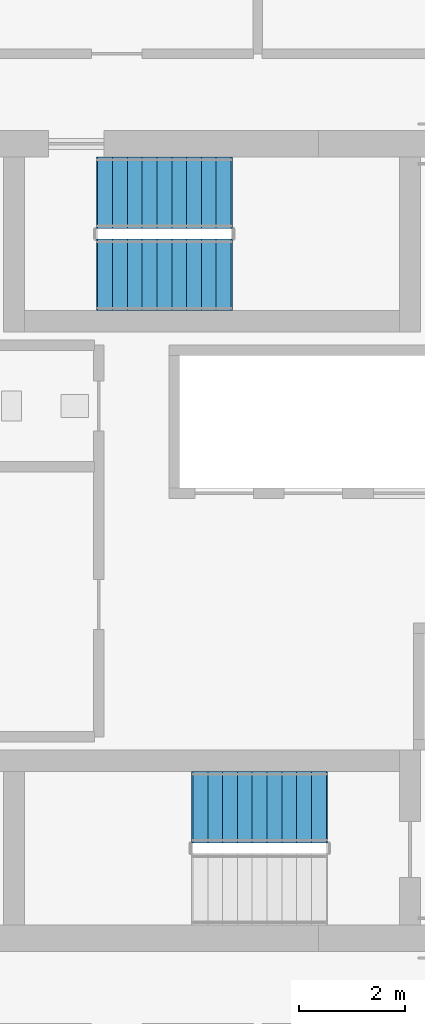
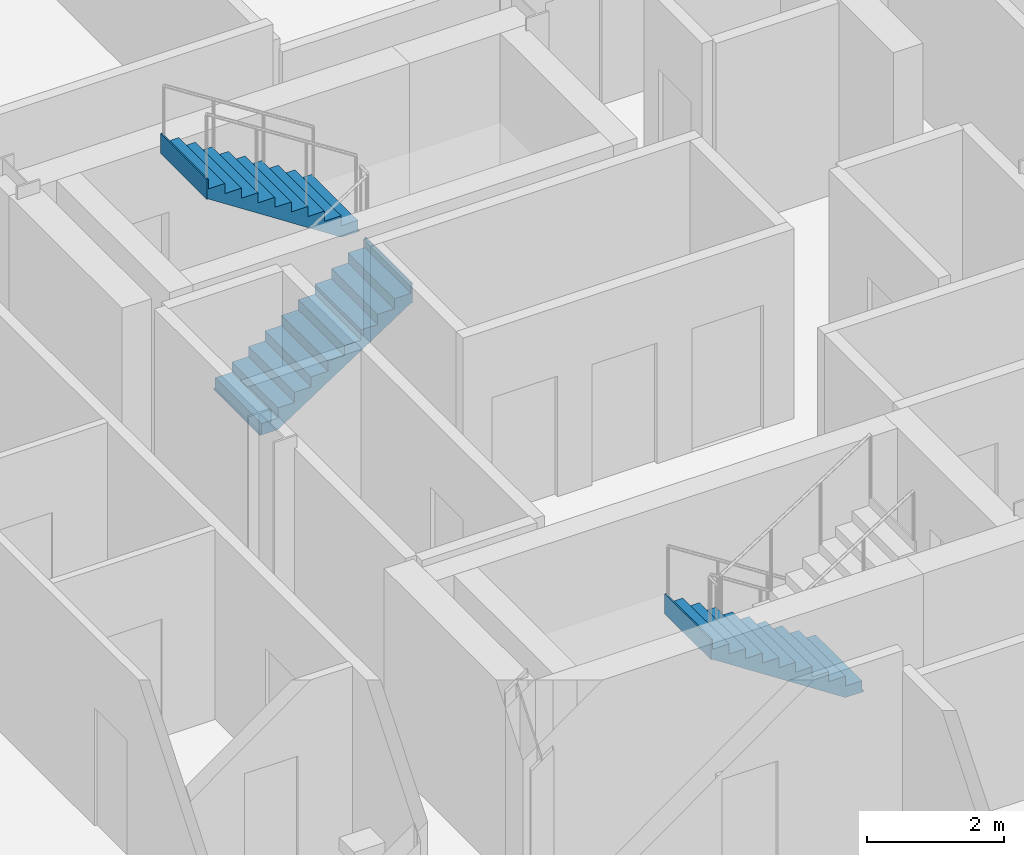
# One storey, part 22 of 24: 3 stair flights, 2 elements without a shape of their own.
"""IFC4 building model written with IfcOpenShell, lengths in metres."""

from ifc_helpers import new_model, si_unit, direction, frame, origin, place, context, subcontext, project, spatial, polyline, outline, extrude, material, type_object, element, aggregate, save


model = new_model("IFC4")

# Units and contexts
model_context = context("Model", 3, precision=1e-05, world=origin(), true_north=direction((0.0, 1.0)))
body_context = subcontext(model_context, "Body", "Model", "MODEL_VIEW")
ifc_project = project(units=[si_unit("LENGTHUNIT", "METRE"), si_unit("AREAUNIT", "SQUARE_METRE"), si_unit("VOLUMEUNIT", "CUBIC_METRE"), si_unit("PLANEANGLEUNIT", "RADIAN"), si_unit("MASSUNIT", "GRAM", prefix="KILO")], contexts=[model_context])

# Site, building, storey
site_placement = place(None, origin())
site = spatial("IfcSite", under=ifc_project, at=site_placement, CompositionType="ELEMENT")
building_placement = place(site_placement, origin())
building = spatial("IfcBuilding", under=site, at=building_placement, Name="Barlavira Tower and Art Museum", CompositionType="ELEMENT")
storey_placement = place(building_placement, frame((0.0, 0.0, 294.300048828125)))
storey = spatial("IfcBuildingStorey", under=building, at=storey_placement, Name="L77", CompositionType="ELEMENT", Elevation=294.300048828125)

# Stair, stair flights
ifc_material_1 = material(Name="Concrete C45", Category="concrete")
stair_type_1 = type_object("IfcStairType", Name="Tower North Dog-Leg Exit Stair Assembly Concrete C45", PredefinedType="TWO_QUARTER_TURN_STAIR", material=ifc_material_1)
stair_1_placement = place(storey_placement, origin())
stair_1 = element("IfcStair", 1, at=stair_1_placement, inside=storey, type_object=stair_type_1, Name="L77 Tower North Exit Stair ST-T2", PredefinedType="TWO_QUARTER_TURN_STAIR")
ifc_material_2 = material(Name="Precast concrete C45", Category="concrete")
stair_flight_type_1 = type_object("IfcStairFlightType", Name="Tower North Dog-Leg Exit Stair Precast Flight 1350 Concrete C45", PredefinedType="STRAIGHT", material=ifc_material_2)
stair_flight_1_placement = place(storey_placement, frame((-4.169921875, 5.02490234375, 0.0), z_axis=(0.0, 0.0, 1.0), x_axis=(1.0, 0.0, 0.0)))
stair_flight_1 = element("IfcStairFlight", 2, at=stair_flight_1_placement, type_object=stair_flight_type_1, Name="ST-T2 flight 1", NumberOfRisers=10, NumberOfTreads=9, PredefinedType="STRAIGHT", RiserHeight=0.18, TreadLength=0.28, context=body_context, shape_type="SweptSolid", body=[
    extrude(outline(polyline([(-0.02490234375, 0.0), (0.0, 0.0), (0.0, 0.179931640625), (0.280029296875, 0.179931640625), (0.280029296875, 0.360107421875), (0.56005859375, 0.360107421875), (0.56005859375, 0.5400390625), (0.840087890625, 0.5400390625), (0.840087890625, 0.719970703125), (1.1201171875, 0.719970703125), (1.1201171875, 0.89990234375), (1.39990234375, 0.89990234375), (1.39990234375, 1.080078125), (1.679931640625, 1.080078125), (1.679931640625, 1.260009765625), (1.9599609375, 1.260009765625), (1.9599609375, 1.43994140625), (2.239990234375, 1.43994140625), (2.239990234375, 1.6201171875), (2.52001953125, 1.6201171875), (2.52001953125, 1.800048828125), (2.544921875, 1.800048828125), (2.544921875, 1.44189453125), (2.52001953125, 1.44189453125), (0.277099609375, -0.02490234375), (-0.02490234375, -0.02490234375), (-0.02490234375, 0.0)])), frame((0.0, 0.675048828125, 0.0), z_axis=(0.0, -1.0, 0.0), x_axis=(1.0, 0.0, 0.0)), (0.0, 0.0, 1.0), 1.35009765625),
])
stair_flight_2_placement = place(storey_placement, frame((-1.64990234375, 6.574951171875, 1.800048828125), z_axis=(0.0, 0.0, 1.0), x_axis=(-1.0, 0.0, 0.0)))
stair_flight_2 = element("IfcStairFlight", 3, at=stair_flight_2_placement, type_object=stair_flight_type_1, Name="ST-T2 flight 2", NumberOfRisers=10, NumberOfTreads=9, PredefinedType="STRAIGHT", RiserHeight=0.18, TreadLength=0.28, context=body_context, shape_type="SweptSolid", body=[
    extrude(outline(polyline([(-0.02490234375, 0.0), (0.0, 0.0), (0.0, 0.179931640625), (0.280029296875, 0.179931640625), (0.280029296875, 0.360107421875), (0.56005859375, 0.360107421875), (0.56005859375, 0.5400390625), (0.840087890625, 0.5400390625), (0.840087890625, 0.719970703125), (1.1201171875, 0.719970703125), (1.1201171875, 0.89990234375), (1.39990234375, 0.89990234375), (1.39990234375, 1.080078125), (1.679931640625, 1.080078125), (1.679931640625, 1.260009765625), (1.9599609375, 1.260009765625), (1.9599609375, 1.43994140625), (2.239990234375, 1.43994140625), (2.239990234375, 1.6201171875), (2.52001953125, 1.6201171875), (2.52001953125, 1.800048828125), (2.544921875, 1.800048828125), (2.544921875, 1.44189453125), (2.52001953125, 1.44189453125), (0.277099609375, -0.02490234375), (-0.02490234375, -0.02490234375), (-0.02490234375, 0.0)])), frame((0.0, 0.675048828125, 0.0), z_axis=(0.0, -1.0, 0.0), x_axis=(1.0, 0.0, 0.0)), (0.0, 0.0, 1.0), 1.35009765625),
])
aggregate(stair_1, [stair_flight_1, stair_flight_2])

# Stair, stair flight
stair_type_2 = type_object("IfcStairType", Name="Tower South Dog-Leg Exit Stair Assembly Concrete C45", PredefinedType="TWO_QUARTER_TURN_STAIR", material=ifc_material_1)
stair_2_placement = place(storey_placement, origin())
stair_2 = element("IfcStair", 4, at=stair_2_placement, inside=storey, type_object=stair_type_2, Name="L77 Tower South Exit Stair ST-T1", PredefinedType="TWO_QUARTER_TURN_STAIR")
stair_flight_type_2 = type_object("IfcStairFlightType", Name="Tower South Dog-Leg Exit Stair Precast Flight 1350 Concrete C45", PredefinedType="STRAIGHT", material=ifc_material_2)
stair_flight_3_placement = place(storey_placement, frame((0.14990234375, -5.02490234375, 0.0), z_axis=(0.0, 0.0, 1.0), x_axis=(-1.0, 0.0, 0.0)))
stair_flight_3 = element("IfcStairFlight", 5, at=stair_flight_3_placement, type_object=stair_flight_type_2, Name="ST-T1 flight 1", NumberOfRisers=10, NumberOfTreads=9, PredefinedType="STRAIGHT", RiserHeight=0.18, TreadLength=0.28, context=body_context, shape_type="SweptSolid", body=[
    extrude(outline(polyline([(-0.02490234375, 0.0), (0.0, 0.0), (0.0, 0.179931640625), (0.280029296875, 0.179931640625), (0.280029296875, 0.360107421875), (0.56005859375, 0.360107421875), (0.56005859375, 0.5400390625), (0.840087890625, 0.5400390625), (0.840087890625, 0.719970703125), (1.1201171875, 0.719970703125), (1.1201171875, 0.89990234375), (1.39990234375, 0.89990234375), (1.39990234375, 1.080078125), (1.679931640625, 1.080078125), (1.679931640625, 1.260009765625), (1.9599609375, 1.260009765625), (1.9599609375, 1.43994140625), (2.239990234375, 1.43994140625), (2.239990234375, 1.6201171875), (2.52001953125, 1.6201171875), (2.52001953125, 1.800048828125), (2.544921875, 1.800048828125), (2.544921875, 1.44189453125), (2.52001953125, 1.44189453125), (0.277099609375, -0.02490234375), (-0.02490234375, -0.02490234375), (-0.02490234375, 0.0)])), frame((0.0, 0.675048828125, 0.0), z_axis=(0.0, -1.0, 0.0), x_axis=(1.0, 0.0, 0.0)), (0.0, 0.0, 1.0), 1.35009765625),
])
aggregate(stair_2, [stair_flight_3])

save(model, "model.ifc")
